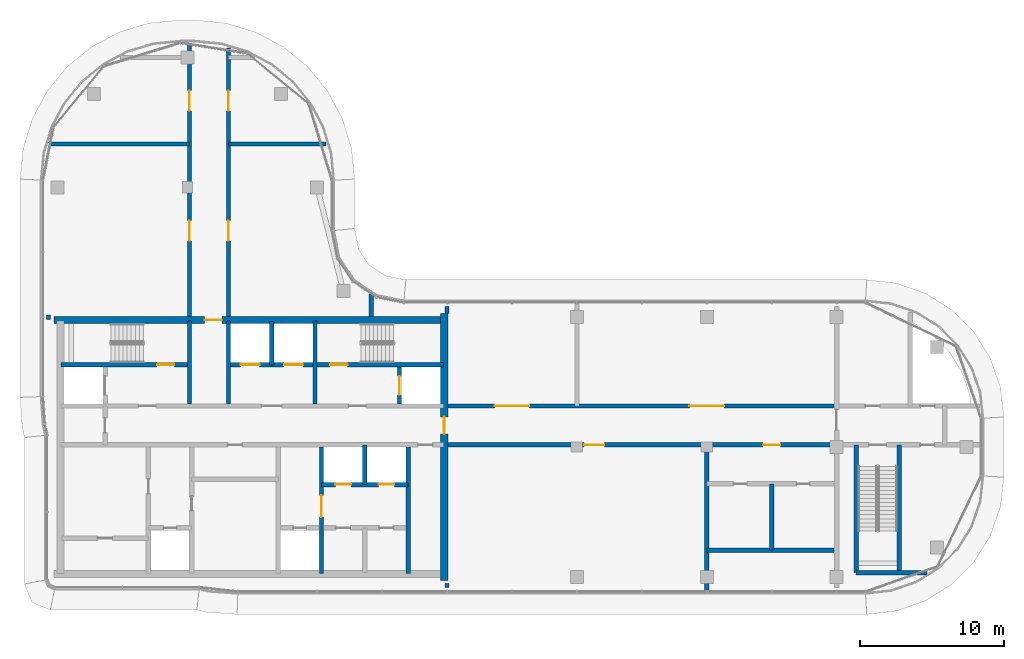
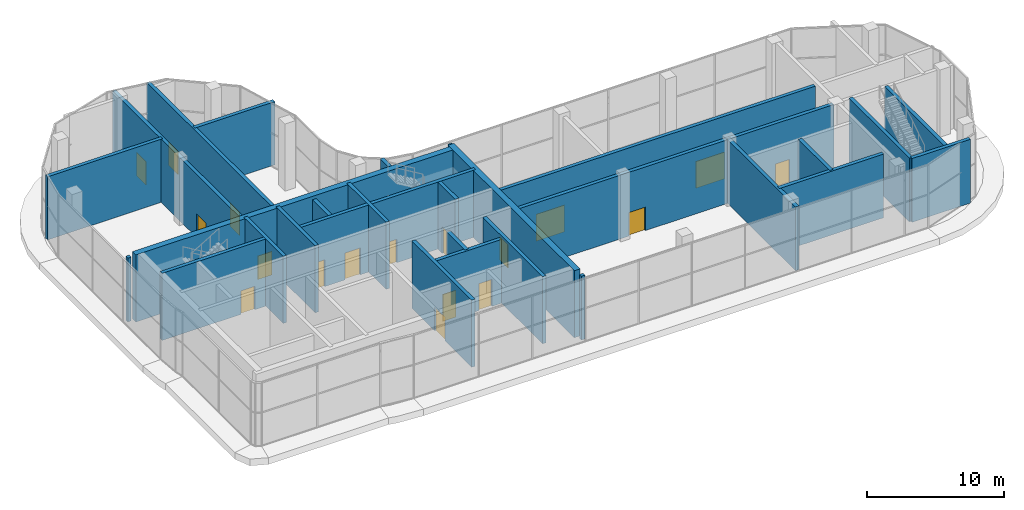
# One storey, part 15 of 23: 29 walls, 18 doors, 18 openings.
"""IFC4 building model written with IfcOpenShell, lengths in metres."""

from ifc_helpers import new_model, si_unit, direction, frame, frame_2d, origin, place, context, subcontext, project, spatial, rectangle, extrude, material, layer, layer_set, type_object, element, fill, save


model = new_model("IFC4")

# Units and contexts
model_context = context("Model", 3, precision=1e-05, world=origin(), true_north=direction((0.0, 1.0)))
body_context = subcontext(model_context, "Body", "Model", "MODEL_VIEW")
ifc_project = project(units=[si_unit("LENGTHUNIT", "METRE"), si_unit("AREAUNIT", "SQUARE_METRE"), si_unit("VOLUMEUNIT", "CUBIC_METRE"), si_unit("PLANEANGLEUNIT", "RADIAN"), si_unit("MASSUNIT", "GRAM", prefix="KILO")], contexts=[model_context])

# Site, building, storey
site_placement = place(None, origin())
site = spatial("IfcSite", under=ifc_project, at=site_placement, CompositionType="ELEMENT")
building_placement = place(site_placement, origin())
building = spatial("IfcBuilding", under=site, at=building_placement, Name="Ogive Portal Towers", CompositionType="ELEMENT")
storey_placement = place(building_placement, frame((0.0, 0.0, 260.89990234375)))
storey = spatial("IfcBuildingStorey", under=building, at=storey_placement, Name="L64", CompositionType="ELEMENT", Elevation=260.89990234375)

# Wall, opening, door
ifc_material_1 = material(Name="Concrete C60/75", Category="concrete")
ifc_layer_1 = layer(ifc_material_1, 0.300048828125)
ifc_layer_set_1 = layer_set([ifc_layer_1], Name="CORE WALL 300 C60")
wall_type_1 = type_object("IfcWallType", Name="CORE WALL 300 C60", PredefinedType="SHEAR", material=ifc_layer_set_1)
wall_1_placement = place(storey_placement, frame((49.800048828125, 21.75, 0.0), z_axis=(0.0, 0.0, 1.0), x_axis=(0.0, 1.0, 0.0)))
wall_1 = element("IfcWall", 1, at=wall_1_placement, inside=storey, type_object=wall_type_1, Name="Core wall X4 L64", PredefinedType="SHEAR", context=body_context, shape_type="SweptSolid", body=[
    extrude(rectangle(XDim=8.75, YDim=0.300048828125, at=frame_2d((4.375, 0.0))), origin(), (0.0, 0.0, 1.0), 6.0),
])
opening_1_placement = place(wall_1_placement, frame((3.89990234375, 0.0, 0.0)))
opening_1 = element("IfcOpeningElement", 2, at=opening_1_placement, cuts=wall_1, Name="Opening D30-001", PredefinedType="OPENING", context=body_context, shape_type="SweptSolid", body=[
    extrude(rectangle(XDim=1.5, YDim=2.10009765625, at=frame_2d((0.75, 1.050048828125))), frame((0.0, 0.16015625, 0.0), z_axis=(0.0, -1.0, 0.0), x_axis=(1.0, 0.0, 0.0)), (0.0, 0.0, 1.0), 0.320068359375),
])
ifc_material_2 = material(Name="Steel fire door", Category="steel")
door_type_1 = type_object("IfcDoorType", Name="DT-SWING-1500x2100-FD90S", OperationType="SINGLE_SWING_LEFT", PredefinedType="DOOR", material=ifc_material_2)
door_1_placement = place(opening_1_placement, origin())
door_1 = element("IfcDoor", 3, at=door_1_placement, inside=storey, type_object=door_type_1, Name="Door D30-001", OperationType="SINGLE_SWING_LEFT", OverallHeight=2.10009765625, OverallWidth=1.5, PredefinedType="DOOR", context=body_context, shape_type="SweptSolid", body=[
    extrude(rectangle(XDim=1.5, YDim=2.10009765625, at=frame_2d((0.75, 1.050048828125))), frame((0.0, 0.02490234375, 0.0), z_axis=(0.0, -1.0, 0.0), x_axis=(1.0, 0.0, 0.0)), (0.0, 0.0, 1.0), 0.050048828125),
])
fill(opening_1, door_1)

# Wall
wall_2_placement = place(storey_placement, frame((55.800048828125, 21.75, 0.0), z_axis=(0.0, 0.0, 1.0), x_axis=(0.0, 1.0, 0.0)))
element("IfcWall", 4, at=wall_2_placement, inside=storey, type_object=wall_type_1, Name="Core wall X5 L64", PredefinedType="SHEAR", context=body_context, shape_type="SweptSolid", body=[
    extrude(rectangle(XDim=8.75, YDim=0.300048828125, at=frame_2d((4.375, 0.0))), origin(), (0.0, 0.0, 1.0), 6.0),
])

# Wall, opening, door
wall_3_placement = place(storey_placement, frame((31.75, 36.199951171875, 0.0), z_axis=(0.0, 0.0, 1.0), x_axis=(1.0, 0.0, 0.0)))
wall_3 = element("IfcWall", 5, at=wall_3_placement, inside=storey, type_object=wall_type_1, Name="Core wall Y3a L64", PredefinedType="SHEAR", context=body_context, shape_type="SweptSolid", body=[
    extrude(rectangle(XDim=8.75, YDim=0.300048828125, at=frame_2d((4.375, 0.0))), origin(), (0.0, 0.0, 1.0), 6.0),
])
opening_2_placement = place(wall_3_placement, frame((6.64990234375, 0.0, 0.0)))
opening_2 = element("IfcOpeningElement", 6, at=opening_2_placement, cuts=wall_3, Name="Opening D30-005", PredefinedType="OPENING", context=body_context, shape_type="SweptSolid", body=[
    extrude(rectangle(XDim=1.199951171875, YDim=2.10009765625, at=frame_2d((0.60009765625, 1.050048828125))), frame((0.0, 0.16015625, 0.0), z_axis=(0.0, -1.0, 0.0), x_axis=(1.0, 0.0, 0.0)), (0.0, 0.0, 1.0), 0.320068359375),
])
door_type_2 = type_object("IfcDoorType", Name="DT-SWING-1200x2100-FD90S", OperationType="SINGLE_SWING_LEFT", PredefinedType="DOOR", material=ifc_material_2)
door_2_placement = place(opening_2_placement, origin())
door_2 = element("IfcDoor", 7, at=door_2_placement, inside=storey, type_object=door_type_2, Name="Door D30-005", OperationType="SINGLE_SWING_RIGHT", OverallHeight=2.10009765625, OverallWidth=1.199951171875, PredefinedType="DOOR", context=body_context, shape_type="SweptSolid", body=[
    extrude(rectangle(XDim=1.199951171875, YDim=2.10009765625, at=frame_2d((0.60009765625, 1.050048828125))), frame((0.0, 0.02490234375, 0.0), z_axis=(0.0, -1.0, 0.0), x_axis=(1.0, 0.0, 0.0)), (0.0, 0.0, 1.0), 0.050048828125),
])
fill(opening_2, door_2)

# Wall, openings, doors
wall_4_placement = place(storey_placement, frame((43.5, 36.199951171875, 0.0), z_axis=(0.0, 0.0, 1.0), x_axis=(1.0, 0.0, 0.0)))
wall_4 = element("IfcWall", 8, at=wall_4_placement, inside=storey, type_object=wall_type_1, Name="Core wall Y3b L64", PredefinedType="SHEAR", context=body_context, shape_type="SweptSolid", body=[
    extrude(rectangle(XDim=14.75, YDim=0.300048828125, at=frame_2d((7.375, 0.0))), origin(), (0.0, 0.0, 1.0), 6.0),
])
opening_3_placement = place(wall_4_placement, frame((6.89990234375, 0.0, 0.0)))
opening_3 = element("IfcOpeningElement", 9, at=opening_3_placement, cuts=wall_4, Name="Opening D30-006", PredefinedType="OPENING", context=body_context, shape_type="SweptSolid", body=[
    extrude(rectangle(XDim=1.199951171875, YDim=2.10009765625, at=frame_2d((0.60009765625, 1.050048828125))), frame((0.0, 0.16015625, 0.0), z_axis=(0.0, -1.0, 0.0), x_axis=(1.0, 0.0, 0.0)), (0.0, 0.0, 1.0), 0.320068359375),
])
opening_4_placement = place(wall_4_placement, frame((0.699951171875, 0.0, 0.0)))
opening_4 = element("IfcOpeningElement", 10, at=opening_4_placement, cuts=wall_4, Name="Opening D30-014", PredefinedType="OPENING", context=body_context, shape_type="SweptSolid", body=[
    extrude(rectangle(XDim=1.300048828125, YDim=2.39990234375, at=frame_2d((0.64990234375, 1.199951171875))), frame((0.0, 0.16015625, 0.0), z_axis=(0.0, -1.0, 0.0), x_axis=(1.0, 0.0, 0.0)), (0.0, 0.0, 1.0), 0.320068359375),
])
opening_5_placement = place(wall_4_placement, frame((3.699951171875, 0.0, 0.0)))
opening_5 = element("IfcOpeningElement", 11, at=opening_5_placement, cuts=wall_4, Name="Opening D30-015", PredefinedType="OPENING", context=body_context, shape_type="SweptSolid", body=[
    extrude(rectangle(XDim=1.300048828125, YDim=2.39990234375, at=frame_2d((0.64990234375, 1.199951171875))), frame((0.0, 0.16015625, 0.0), z_axis=(0.0, -1.0, 0.0), x_axis=(1.0, 0.0, 0.0)), (0.0, 0.0, 1.0), 0.320068359375),
])
ifc_material_3 = material(Name="Stainless steel", Category="steel")
door_type_3 = type_object("IfcDoorType", Name="DT-LD-1300x2400", OperationType="SLIDING_TO_LEFT", PredefinedType="DOOR", material=ifc_material_3)
door_3_placement = place(opening_4_placement, origin())
door_3 = element("IfcDoor", 12, at=door_3_placement, inside=storey, type_object=door_type_3, Name="Door D30-014", OperationType="SLIDING_TO_LEFT", OverallHeight=2.39990234375, OverallWidth=1.300048828125, PredefinedType="DOOR", context=body_context, shape_type="SweptSolid", body=[
    extrude(rectangle(XDim=1.300048828125, YDim=2.39990234375, at=frame_2d((0.64990234375, 1.199951171875))), frame((0.0, 0.02490234375, 0.0), z_axis=(0.0, -1.0, 0.0), x_axis=(1.0, 0.0, 0.0)), (0.0, 0.0, 1.0), 0.050048828125),
])
fill(opening_4, door_3)
door_4_placement = place(opening_5_placement, origin())
door_4 = element("IfcDoor", 13, at=door_4_placement, inside=storey, type_object=door_type_3, Name="Door D30-015", OperationType="SLIDING_TO_LEFT", OverallHeight=2.39990234375, OverallWidth=1.300048828125, PredefinedType="DOOR", context=body_context, shape_type="SweptSolid", body=[
    extrude(rectangle(XDim=1.300048828125, YDim=2.39990234375, at=frame_2d((0.64990234375, 1.199951171875))), frame((0.0, 0.02490234375, 0.0), z_axis=(0.0, -1.0, 0.0), x_axis=(1.0, 0.0, 0.0)), (0.0, 0.0, 1.0), 0.050048828125),
])
fill(opening_5, door_4)
door_5_placement = place(opening_3_placement, origin())
door_5 = element("IfcDoor", 14, at=door_5_placement, inside=storey, type_object=door_type_2, Name="Door D30-006", OperationType="SINGLE_SWING_LEFT", OverallHeight=2.10009765625, OverallWidth=1.199951171875, PredefinedType="DOOR", context=body_context, shape_type="SweptSolid", body=[
    extrude(rectangle(XDim=1.199951171875, YDim=2.10009765625, at=frame_2d((0.60009765625, 1.050048828125))), frame((0.0, 0.02490234375, 0.0), z_axis=(0.0, -1.0, 0.0), x_axis=(1.0, 0.0, 0.0)), (0.0, 0.0, 1.0), 0.050048828125),
])
fill(opening_3, door_5)

# Walls
for number, where, z_axis, x_axis, name in (
    (15, (40.64990234375, 33.5, 0.0), (0.0, 0.0, 1.0), (0.0, 1.0, 0.0), "Core wall X6 L64"),
    (16, (43.35009765625, 33.5, 0.0), (0.0, 0.0, 1.0), (0.0, 1.0, 0.0), "Core wall X7 L64"),
    (17, (49.35009765625, 33.5, 0.0), (0.0, 0.0, 1.0), (0.0, 1.0, 0.0), "Core wall X9 L64"),
):
    element("IfcWall", number, at=place(storey_placement, frame(where, z_axis=z_axis, x_axis=x_axis)), inside=storey, type_object=wall_type_1, Name=name, PredefinedType="SHEAR", context=body_context, shape_type="SweptSolid", body=[
        extrude(rectangle(XDim=5.75, YDim=0.300048828125, at=frame_2d((2.875, 0.0))), origin(), (0.0, 0.0, 1.0), 6.0),
    ])

# Wall, opening, door
wall_5_placement = place(storey_placement, frame((55.199951171875, 33.5, 0.0), z_axis=(0.0, 0.0, 1.0), x_axis=(0.0, 1.0, 0.0)))
wall_5 = element("IfcWall", 18, at=wall_5_placement, inside=storey, type_object=wall_type_1, Name="Core wall X10 L64", PredefinedType="SHEAR", context=body_context, shape_type="SweptSolid", body=[
    extrude(rectangle(XDim=2.550048828125, YDim=0.300048828125, at=frame_2d((1.27490234375, 0.0))), origin(), (0.0, 0.0, 1.0), 6.0),
])
opening_6_placement = place(wall_5_placement, frame((0.625, 0.0, 0.0)))
opening_6 = element("IfcOpeningElement", 19, at=opening_6_placement, cuts=wall_5, Name="Opening D30-017", PredefinedType="OPENING", context=body_context, shape_type="SweptSolid", body=[
    extrude(rectangle(XDim=1.300048828125, YDim=2.39990234375, at=frame_2d((0.64990234375, 1.199951171875))), frame((0.0, 0.16015625, 0.0), z_axis=(0.0, -1.0, 0.0), x_axis=(1.0, 0.0, 0.0)), (0.0, 0.0, 1.0), 0.320068359375),
])
door_6_placement = place(opening_6_placement, origin())
door_6 = element("IfcDoor", 20, at=door_6_placement, inside=storey, type_object=door_type_3, Name="Door D30-017", OperationType="SLIDING_TO_LEFT", OverallHeight=2.39990234375, OverallWidth=1.300048828125, PredefinedType="DOOR", context=body_context, shape_type="SweptSolid", body=[
    extrude(rectangle(XDim=1.300048828125, YDim=2.39990234375, at=frame_2d((0.64990234375, 1.199951171875))), frame((0.0, 0.02490234375, 0.0), z_axis=(0.0, -1.0, 0.0), x_axis=(1.0, 0.0, 0.0)), (0.0, 0.0, 1.0), 0.050048828125),
])
fill(opening_6, door_6)

ifc_layer_2 = layer(ifc_material_1, 0.5)
ifc_layer_set_2 = layer_set([ifc_layer_2], Name="CORE WALL 500 C60")
wall_type_2 = type_object("IfcWallType", Name="CORE WALL 500 C60", PredefinedType="SHEAR", material=ifc_layer_set_2)
wall_6_placement = place(storey_placement, frame((58.300048828125, 21.25, 0.0), z_axis=(0.0, 0.0, 1.0), x_axis=(0.0, 1.0, 0.0)))
wall_6 = element("IfcWall", 21, at=wall_6_placement, inside=storey, type_object=wall_type_2, Name="Core wall E L64", PredefinedType="SHEAR", context=body_context, shape_type="SweptSolid", body=[
    extrude(rectangle(XDim=18.5, YDim=0.5, at=frame_2d((9.25, 0.0))), origin(), (0.0, 0.0, 1.0), 6.0),
])
opening_7_placement = place(wall_6_placement, frame((10.14990234375, 0.0, 0.0)))
opening_7 = element("IfcOpeningElement", 22, at=opening_7_placement, cuts=wall_6, Name="Opening D30-010", PredefinedType="OPENING", context=body_context, shape_type="SweptSolid", body=[
    extrude(rectangle(XDim=1.199951171875, YDim=2.10009765625, at=frame_2d((0.60009765625, 1.050048828125))), frame((0.0, 0.260009765625, 0.0), z_axis=(0.0, -1.0, 0.0), x_axis=(1.0, 0.0, 0.0)), (0.0, 0.0, 1.0), 0.52001953125),
])
door_7_placement = place(opening_7_placement, origin())
door_7 = element("IfcDoor", 23, at=door_7_placement, inside=storey, type_object=door_type_2, Name="Door D30-010", OperationType="SINGLE_SWING_LEFT", OverallHeight=2.10009765625, OverallWidth=1.199951171875, PredefinedType="DOOR", context=body_context, shape_type="SweptSolid", body=[
    extrude(rectangle(XDim=1.199951171875, YDim=2.10009765625, at=frame_2d((0.60009765625, 1.050048828125))), frame((0.0, 0.02490234375, 0.0), z_axis=(0.0, -1.0, 0.0), x_axis=(1.0, 0.0, 0.0)), (0.0, 0.0, 1.0), 0.050048828125),
])
fill(opening_7, door_7)

wall_7_placement = place(storey_placement, frame((31.25, 39.300048828125, 0.0), z_axis=(0.0, 0.0, 1.0), x_axis=(1.0, 0.0, 0.0)))
wall_7 = element("IfcWall", 24, at=wall_7_placement, inside=storey, type_object=wall_type_2, Name="Core wall N L64", PredefinedType="SHEAR", context=body_context, shape_type="SweptSolid", body=[
    extrude(rectangle(XDim=27.0, YDim=0.5, at=frame_2d((13.5, 0.0))), origin(), (0.0, 0.0, 1.0), 6.0),
])
opening_8_placement = place(wall_7_placement, frame((10.449951171875, 0.0, 0.0)))
opening_8 = element("IfcOpeningElement", 25, at=opening_8_placement, cuts=wall_7, Name="Opening D30-011", PredefinedType="OPENING", context=body_context, shape_type="SweptSolid", body=[
    extrude(rectangle(XDim=1.199951171875, YDim=2.10009765625, at=frame_2d((0.60009765625, 1.050048828125))), frame((0.0, 0.260009765625, 0.0), z_axis=(0.0, -1.0, 0.0), x_axis=(1.0, 0.0, 0.0)), (0.0, 0.0, 1.0), 0.52001953125),
])
door_8_placement = place(opening_8_placement, origin())
door_8 = element("IfcDoor", 26, at=door_8_placement, inside=storey, type_object=door_type_2, Name="Door D30-011", OperationType="SINGLE_SWING_RIGHT", OverallHeight=2.10009765625, OverallWidth=1.199951171875, PredefinedType="DOOR", context=body_context, shape_type="SweptSolid", body=[
    extrude(rectangle(XDim=1.199951171875, YDim=2.10009765625, at=frame_2d((0.60009765625, 1.050048828125))), frame((0.0, 0.02490234375, 0.0), z_axis=(0.0, -1.0, 0.0), x_axis=(1.0, 0.0, 0.0)), (0.0, 0.0, 1.0), 0.050048828125),
])
fill(opening_8, door_8)

# Walls
ifc_material_4 = material(Name="Concrete C50/60", Category="concrete")
ifc_layer_3 = layer(ifc_material_4, 0.300048828125)
ifc_layer_set_3 = layer_set([ifc_layer_3], Name="STAIR WALL 300 C50")
wall_type_3 = type_object("IfcWallType", Name="STAIR WALL 300 C50", PredefinedType="SHEAR", material=ifc_layer_set_3)
wall_8_placement = place(storey_placement, frame((86.85009765625, 21.800048828125, 0.0), z_axis=(0.0, 0.0, 1.0), x_axis=(1.0, 0.0, 0.0)))
element("IfcWall", 27, at=wall_8_placement, inside=storey, type_object=wall_type_3, Name="Stair wall ST-A4 L64", PredefinedType="SHEAR", context=body_context, shape_type="SweptSolid", body=[
    extrude(rectangle(XDim=4.91796875, YDim=0.300048828125, at=frame_2d((2.458984375, 0.0))), origin(), (0.0, 0.0, 1.0), 5.7001953125),
])
for number, where, z_axis, x_axis, name in (
    (28, (86.85009765625, 21.800048828125, 0.0), (0.0, 0.0, 1.0), (0.0, 1.0, 0.0), "Stair wall ST-A4 L64"),
    (29, (89.85009765625, 21.800048828125, 0.0), (0.0, 0.0, 1.0), (0.0, 1.0, 0.0), "Stair wall ST-A4 L64"),
):
    element("IfcWall", number, at=place(storey_placement, frame(where, z_axis=z_axis, x_axis=x_axis)), inside=storey, type_object=wall_type_3, Name=name, PredefinedType="SHEAR", context=body_context, shape_type="SweptSolid", body=[
        extrude(rectangle(XDim=8.849853515625, YDim=0.300048828125, at=frame_2d((4.4248046875, 0.0))), origin(), (0.0, 0.0, 1.0), 5.7001953125),
    ])

# Wall, openings, doors
ifc_material_5 = material(Name="Gypsum board partition on steel studs", Category="steel")
ifc_layer_4 = layer(ifc_material_5, 0.300048828125)
ifc_layer_set_4 = layer_set([ifc_layer_4], Name="WT-PART-300-EI 120")
wall_type_4 = type_object("IfcWallType", Name="WT-PART-300-EI 120", PredefinedType="PARTITIONING", material=ifc_layer_set_4)
wall_9_placement = place(storey_placement, frame((58.550048828125, 30.64990234375, 0.0), z_axis=(0.0, 0.0, 1.0), x_axis=(1.0, 0.0, 0.0)))
wall_9 = element("IfcWall", 30, at=wall_9_placement, inside=storey, type_object=wall_type_4, Name="Wall L64:w004", PredefinedType="PARTITIONING", context=body_context, shape_type="SweptSolid", body=[
    extrude(rectangle(XDim=26.780029296875, YDim=0.300048828125, at=frame_2d((13.39013671875, 0.0))), origin(), (0.0, 0.0, 1.0), 5.7001953125),
])
opening_9_placement = place(wall_9_placement, frame((9.449951171875, 0.0, 0.0)))
opening_9 = element("IfcOpeningElement", 31, at=opening_9_placement, cuts=wall_9, Name="Opening D30-027", PredefinedType="OPENING", context=body_context, shape_type="SweptSolid", body=[
    extrude(rectangle(XDim=1.39990234375, YDim=2.10009765625, at=frame_2d((0.699951171875, 1.050048828125))), frame((0.0, 0.16015625, 0.0), z_axis=(0.0, -1.0, 0.0), x_axis=(1.0, 0.0, 0.0)), (0.0, 0.0, 1.0), 0.320068359375),
])
opening_10_placement = place(wall_9_placement, frame((21.85009765625, 0.0, 0.0)))
opening_10 = element("IfcOpeningElement", 32, at=opening_10_placement, cuts=wall_9, Name="Opening D30-028", PredefinedType="OPENING", context=body_context, shape_type="SweptSolid", body=[
    extrude(rectangle(XDim=1.199951171875, YDim=2.10009765625, at=frame_2d((0.60009765625, 1.050048828125))), frame((0.0, 0.16015625, 0.0), z_axis=(0.0, -1.0, 0.0), x_axis=(1.0, 0.0, 0.0)), (0.0, 0.0, 1.0), 0.320068359375),
])
door_type_4 = type_object("IfcDoorType", Name="DT-ENTRY-1200x2100-FD90S", OperationType="SINGLE_SWING_LEFT", PredefinedType="DOOR", material=ifc_material_2)
door_9_placement = place(opening_10_placement, origin())
door_9 = element("IfcDoor", 33, at=door_9_placement, inside=storey, type_object=door_type_4, Name="Door D30-028", OperationType="SINGLE_SWING_LEFT", OverallHeight=2.10009765625, OverallWidth=1.199951171875, PredefinedType="DOOR", context=body_context, shape_type="SweptSolid", body=[
    extrude(rectangle(XDim=1.199951171875, YDim=2.10009765625, at=frame_2d((0.60009765625, 1.050048828125))), frame((0.0, 0.02490234375, 0.0), z_axis=(0.0, -1.0, 0.0), x_axis=(1.0, 0.0, 0.0)), (0.0, 0.0, 1.0), 0.050048828125),
])
fill(opening_10, door_9)
door_type_5 = type_object("IfcDoorType", Name="DT-ENTRY-1400x2100-FD90S", OperationType="SINGLE_SWING_LEFT", PredefinedType="DOOR", material=ifc_material_2)
door_10_placement = place(opening_9_placement, origin())
door_10 = element("IfcDoor", 34, at=door_10_placement, inside=storey, type_object=door_type_5, Name="Door D30-027", OperationType="SINGLE_SWING_LEFT", OverallHeight=2.10009765625, OverallWidth=1.39990234375, PredefinedType="DOOR", context=body_context, shape_type="SweptSolid", body=[
    extrude(rectangle(XDim=1.39990234375, YDim=2.10009765625, at=frame_2d((0.699951171875, 1.050048828125))), frame((0.0, 0.02490234375, 0.0), z_axis=(0.0, -1.0, 0.0), x_axis=(1.0, 0.0, 0.0)), (0.0, 0.0, 1.0), 0.050048828125),
])
fill(opening_9, door_10)

wall_10_placement = place(storey_placement, frame((58.550048828125, 33.35009765625, 0.0), z_axis=(0.0, 0.0, 1.0), x_axis=(1.0, 0.0, 0.0)))
wall_10 = element("IfcWall", 35, at=wall_10_placement, inside=storey, type_object=wall_type_4, Name="Wall L64:w006", PredefinedType="PARTITIONING", context=body_context, shape_type="SweptSolid", body=[
    extrude(rectangle(XDim=26.780029296875, YDim=0.300048828125, at=frame_2d((13.39013671875, 0.0))), origin(), (0.0, 0.0, 1.0), 5.7001953125),
])
opening_11_placement = place(wall_10_placement, frame((3.25, 0.0, 0.0)))
opening_11 = element("IfcOpeningElement", 36, at=opening_11_placement, cuts=wall_10, Name="Opening D30-025", PredefinedType="OPENING", context=body_context, shape_type="SweptSolid", body=[
    extrude(rectangle(XDim=2.39990234375, YDim=2.39990234375, at=frame_2d((1.199951171875, 1.199951171875))), frame((0.0, 0.16015625, 0.0), z_axis=(0.0, -1.0, 0.0), x_axis=(1.0, 0.0, 0.0)), (0.0, 0.0, 1.0), 0.320068359375),
])
opening_12_placement = place(wall_10_placement, frame((16.75, 0.0, 0.0)))
opening_12 = element("IfcOpeningElement", 37, at=opening_12_placement, cuts=wall_10, Name="Opening D30-026", PredefinedType="OPENING", context=body_context, shape_type="SweptSolid", body=[
    extrude(rectangle(XDim=2.39990234375, YDim=2.39990234375, at=frame_2d((1.199951171875, 1.199951171875))), frame((0.0, 0.16015625, 0.0), z_axis=(0.0, -1.0, 0.0), x_axis=(1.0, 0.0, 0.0)), (0.0, 0.0, 1.0), 0.320068359375),
])
door_type_6 = type_object("IfcDoorType", Name="DT-ENTRY-2400x2400-FD90S", OperationType="SINGLE_SWING_LEFT", PredefinedType="DOOR", material=ifc_material_2)
door_11_placement = place(opening_11_placement, origin())
door_11 = element("IfcDoor", 38, at=door_11_placement, inside=storey, type_object=door_type_6, Name="Door D30-025", OperationType="SINGLE_SWING_LEFT", OverallHeight=2.39990234375, OverallWidth=2.39990234375, PredefinedType="DOOR", context=body_context, shape_type="SweptSolid", body=[
    extrude(rectangle(XDim=2.39990234375, YDim=2.39990234375, at=frame_2d((1.199951171875, 1.199951171875))), frame((0.0, 0.02490234375, 0.0), z_axis=(0.0, -1.0, 0.0), x_axis=(1.0, 0.0, 0.0)), (0.0, 0.0, 1.0), 0.050048828125),
])
fill(opening_11, door_11)
door_12_placement = place(opening_12_placement, origin())
door_12 = element("IfcDoor", 39, at=door_12_placement, inside=storey, type_object=door_type_6, Name="Door D30-026", OperationType="SINGLE_SWING_LEFT", OverallHeight=2.39990234375, OverallWidth=2.39990234375, PredefinedType="DOOR", context=body_context, shape_type="SweptSolid", body=[
    extrude(rectangle(XDim=2.39990234375, YDim=2.39990234375, at=frame_2d((1.199951171875, 1.199951171875))), frame((0.0, 0.02490234375, 0.0), z_axis=(0.0, -1.0, 0.0), x_axis=(1.0, 0.0, 0.0)), (0.0, 0.0, 1.0), 0.050048828125),
])
fill(opening_12, door_12)

# Walls
ifc_layer_5 = layer(ifc_material_5, 0.300048828125)
ifc_layer_set_5 = layer_set([ifc_layer_5], Name="WT-PART-300-EI 60")
wall_type_5 = type_object("IfcWallType", Name="WT-PART-300-EI 60", PredefinedType="PARTITIONING", material=ifc_layer_set_5)
wall_11_placement = place(storey_placement, frame((76.5, 23.35009765625, 0.0), z_axis=(0.0, 0.0, 1.0), x_axis=(1.0, 0.0, 0.0)))
element("IfcWall", 40, at=wall_11_placement, inside=storey, type_object=wall_type_5, Name="Wall L64:w002", PredefinedType="PARTITIONING", context=body_context, shape_type="SweptSolid", body=[
    extrude(rectangle(XDim=8.830078125, YDim=0.300048828125, at=frame_2d((4.4150390625, 0.0))), origin(), (0.0, 0.0, 1.0), 5.7001953125),
])
wall_12_placement = place(storey_placement, frame((30.75, 39.5, 0.0), z_axis=(0.0, 0.0, 1.0), x_axis=(1.0, 0.0, 0.0)))
element("IfcWall", 41, at=wall_12_placement, inside=storey, type_object=wall_type_5, Name="Wall L64:w008", PredefinedType="PARTITIONING", context=body_context, shape_type="SweptSolid", body=[
    extrude(rectangle(XDim=0.280029296875, YDim=0.300048828125, at=frame_2d((0.14013671875, 0.0))), origin(), (0.0, 0.0, 1.0), 5.7001953125),
])
wall_13_placement = place(storey_placement, frame((30.888916015625, 51.5, 0.0), z_axis=(0.0, 0.0, 1.0), x_axis=(1.0, 0.0, 0.0)))
element("IfcWall", 42, at=wall_13_placement, inside=storey, type_object=wall_type_5, Name="Wall L64:w009", PredefinedType="PARTITIONING", context=body_context, shape_type="SweptSolid", body=[
    extrude(rectangle(XDim=9.760986328125, YDim=0.300048828125, at=frame_2d((4.88037109375, 0.0))), origin(), (0.0, 0.0, 1.0), 5.650146484375),
])
wall_14_placement = place(storey_placement, frame((43.35009765625, 51.5, 0.0), z_axis=(0.0, 0.0, 1.0), x_axis=(1.0, 0.0, 0.0)))
element("IfcWall", 43, at=wall_14_placement, inside=storey, type_object=wall_type_5, Name="Wall L64:w010", PredefinedType="PARTITIONING", context=body_context, shape_type="SweptSolid", body=[
    extrude(rectangle(XDim=6.760986328125, YDim=0.300048828125, at=frame_2d((3.38037109375, 0.0))), origin(), (0.0, 0.0, 1.0), 5.650146484375),
])

# Wall, openings, doors
wall_15_placement = place(storey_placement, frame((40.64990234375, 39.550048828125, 0.0), z_axis=(0.0, 0.0, 1.0), x_axis=(0.0, 1.0, 0.0)))
wall_15 = element("IfcWall", 44, at=wall_15_placement, inside=storey, type_object=wall_type_5, Name="Wall L64:w013", PredefinedType="PARTITIONING", context=body_context, shape_type="SweptSolid", body=[
    extrude(rectangle(XDim=18.93994140625, YDim=0.300048828125, at=frame_2d((9.469970703125, 0.0))), origin(), (0.0, 0.0, 1.0), 5.650146484375),
])
opening_13_placement = place(wall_15_placement, frame((5.25, 0.0, 0.0)))
opening_13 = element("IfcOpeningElement", 45, at=opening_13_placement, cuts=wall_15, Name="Opening D30-032", PredefinedType="OPENING", context=body_context, shape_type="SweptSolid", body=[
    extrude(rectangle(XDim=1.39990234375, YDim=2.10009765625, at=frame_2d((0.699951171875, 1.050048828125))), frame((0.0, 0.16015625, 0.0), z_axis=(0.0, -1.0, 0.0), x_axis=(1.0, 0.0, 0.0)), (0.0, 0.0, 1.0), 0.320068359375),
])
opening_14_placement = place(wall_15_placement, frame((14.25, 0.0, 0.0)))
opening_14 = element("IfcOpeningElement", 46, at=opening_14_placement, cuts=wall_15, Name="Opening D30-034", PredefinedType="OPENING", context=body_context, shape_type="SweptSolid", body=[
    extrude(rectangle(XDim=1.39990234375, YDim=2.10009765625, at=frame_2d((0.699951171875, 1.050048828125))), frame((0.0, 0.16015625, 0.0), z_axis=(0.0, -1.0, 0.0), x_axis=(1.0, 0.0, 0.0)), (0.0, 0.0, 1.0), 0.320068359375),
])
door_type_7 = type_object("IfcDoorType", Name="DT-ENTRY-1400x2100-FD60S", OperationType="SINGLE_SWING_LEFT", PredefinedType="DOOR", material=ifc_material_2)
door_13_placement = place(opening_13_placement, origin())
door_13 = element("IfcDoor", 47, at=door_13_placement, inside=storey, type_object=door_type_7, Name="Door D30-032", OperationType="SINGLE_SWING_LEFT", OverallHeight=2.10009765625, OverallWidth=1.39990234375, PredefinedType="DOOR", context=body_context, shape_type="SweptSolid", body=[
    extrude(rectangle(XDim=1.39990234375, YDim=2.10009765625, at=frame_2d((0.699951171875, 1.050048828125))), frame((0.0, 0.02490234375, 0.0), z_axis=(0.0, -1.0, 0.0), x_axis=(1.0, 0.0, 0.0)), (0.0, 0.0, 1.0), 0.050048828125),
])
fill(opening_13, door_13)
door_14_placement = place(opening_14_placement, origin())
door_14 = element("IfcDoor", 48, at=door_14_placement, inside=storey, type_object=door_type_7, Name="Door D30-034", OperationType="SINGLE_SWING_LEFT", OverallHeight=2.10009765625, OverallWidth=1.39990234375, PredefinedType="DOOR", context=body_context, shape_type="SweptSolid", body=[
    extrude(rectangle(XDim=1.39990234375, YDim=2.10009765625, at=frame_2d((0.699951171875, 1.050048828125))), frame((0.0, 0.02490234375, 0.0), z_axis=(0.0, -1.0, 0.0), x_axis=(1.0, 0.0, 0.0)), (0.0, 0.0, 1.0), 0.050048828125),
])
fill(opening_14, door_14)

wall_16_placement = place(storey_placement, frame((43.35009765625, 39.550048828125, 0.0), z_axis=(0.0, 0.0, 1.0), x_axis=(0.0, 1.0, 0.0)))
wall_16 = element("IfcWall", 49, at=wall_16_placement, inside=storey, type_object=wall_type_5, Name="Wall L64:w014", PredefinedType="PARTITIONING", context=body_context, shape_type="SweptSolid", body=[
    extrude(rectangle(XDim=18.60595703125, YDim=0.300048828125, at=frame_2d((9.302978515625, 0.0))), origin(), (0.0, 0.0, 1.0), 5.650146484375),
])
opening_15_placement = place(wall_16_placement, frame((5.25, 0.0, 0.0)))
opening_15 = element("IfcOpeningElement", 50, at=opening_15_placement, cuts=wall_16, Name="Opening D30-031", PredefinedType="OPENING", context=body_context, shape_type="SweptSolid", body=[
    extrude(rectangle(XDim=1.39990234375, YDim=2.10009765625, at=frame_2d((0.699951171875, 1.050048828125))), frame((0.0, 0.16015625, 0.0), z_axis=(0.0, -1.0, 0.0), x_axis=(1.0, 0.0, 0.0)), (0.0, 0.0, 1.0), 0.320068359375),
])
opening_16_placement = place(wall_16_placement, frame((14.25, 0.0, 0.0)))
opening_16 = element("IfcOpeningElement", 51, at=opening_16_placement, cuts=wall_16, Name="Opening D30-033", PredefinedType="OPENING", context=body_context, shape_type="SweptSolid", body=[
    extrude(rectangle(XDim=1.39990234375, YDim=2.10009765625, at=frame_2d((0.699951171875, 1.050048828125))), frame((0.0, 0.16015625, 0.0), z_axis=(0.0, -1.0, 0.0), x_axis=(1.0, 0.0, 0.0)), (0.0, 0.0, 1.0), 0.320068359375),
])
door_15_placement = place(opening_15_placement, origin())
door_15 = element("IfcDoor", 52, at=door_15_placement, inside=storey, type_object=door_type_7, Name="Door D30-031", OperationType="SINGLE_SWING_LEFT", OverallHeight=2.10009765625, OverallWidth=1.39990234375, PredefinedType="DOOR", context=body_context, shape_type="SweptSolid", body=[
    extrude(rectangle(XDim=1.39990234375, YDim=2.10009765625, at=frame_2d((0.699951171875, 1.050048828125))), frame((0.0, 0.02490234375, 0.0), z_axis=(0.0, -1.0, 0.0), x_axis=(1.0, 0.0, 0.0)), (0.0, 0.0, 1.0), 0.050048828125),
])
fill(opening_15, door_15)
door_16_placement = place(opening_16_placement, origin())
door_16 = element("IfcDoor", 53, at=door_16_placement, inside=storey, type_object=door_type_7, Name="Door D30-033", OperationType="SINGLE_SWING_LEFT", OverallHeight=2.10009765625, OverallWidth=1.39990234375, PredefinedType="DOOR", context=body_context, shape_type="SweptSolid", body=[
    extrude(rectangle(XDim=1.39990234375, YDim=2.10009765625, at=frame_2d((0.699951171875, 1.050048828125))), frame((0.0, 0.02490234375, 0.0), z_axis=(0.0, -1.0, 0.0), x_axis=(1.0, 0.0, 0.0)), (0.0, 0.0, 1.0), 0.050048828125),
])
fill(opening_16, door_16)

# Walls
wall_17_placement = place(storey_placement, frame((53.25, 39.550048828125, 0.0), z_axis=(0.0, 0.0, 1.0), x_axis=(0.0, 1.0, 0.0)))
element("IfcWall", 54, at=wall_17_placement, inside=storey, type_object=wall_type_5, Name="Wall L64:w015", PredefinedType="PARTITIONING", context=body_context, shape_type="SweptSolid", body=[
    extrude(rectangle(XDim=1.54296875, YDim=0.300048828125, at=frame_2d((0.771484375, 0.0))), origin(), (0.0, 0.0, 1.0), 5.7001953125),
])
wall_18_placement = place(storey_placement, frame((58.5, 20.75, 0.0), z_axis=(0.0, 0.0, 1.0), x_axis=(0.0, 1.0, 0.0)))
element("IfcWall", 55, at=wall_18_placement, inside=storey, type_object=wall_type_5, Name="Wall L64:w016", PredefinedType="PARTITIONING", context=body_context, shape_type="SweptSolid", body=[
    extrude(rectangle(XDim=0.280029296875, YDim=0.300048828125, at=frame_2d((0.14013671875, 0.0))), origin(), (0.0, 0.0, 1.0), 5.7001953125),
])
wall_19_placement = place(storey_placement, frame((58.5, 39.75, 0.0), z_axis=(0.0, 0.0, 1.0), x_axis=(0.0, 1.0, 0.0)))
element("IfcWall", 56, at=wall_19_placement, inside=storey, type_object=wall_type_5, Name="Wall L64:w017", PredefinedType="PARTITIONING", context=body_context, shape_type="SweptSolid", body=[
    extrude(rectangle(XDim=0.5, YDim=0.300048828125, at=frame_2d((0.25, 0.0))), origin(), (0.0, 0.0, 1.0), 5.7001953125),
])
wall_20_placement = place(storey_placement, frame((76.5, 20.570068359375, 0.0), z_axis=(0.0, 0.0, 1.0), x_axis=(0.0, 1.0, 0.0)))
element("IfcWall", 57, at=wall_20_placement, inside=storey, type_object=wall_type_5, Name="Wall L64:w019", PredefinedType="PARTITIONING", context=body_context, shape_type="SweptSolid", body=[
    extrude(rectangle(XDim=10.079833984375, YDim=0.300048828125, at=frame_2d((5.0400390625, 0.0))), origin(), (0.0, 0.0, 1.0), 5.7001953125),
])
wall_21_placement = place(storey_placement, frame((81.0, 23.35009765625, 0.0), z_axis=(0.0, 0.0, 1.0), x_axis=(0.0, 1.0, 0.0)))
element("IfcWall", 58, at=wall_21_placement, inside=storey, type_object=wall_type_5, Name="Wall L64:w020", PredefinedType="PARTITIONING", context=body_context, shape_type="SweptSolid", body=[
    extrude(rectangle(XDim=4.599853515625, YDim=0.300048828125, at=frame_2d((2.2998046875, 0.0))), origin(), (0.0, 0.0, 1.0), 5.7001953125),
])

# Wall, openings, doors
ifc_material_6 = material(Name="Concrete C40/50", Category="concrete")
ifc_layer_6 = layer(ifc_material_6, 0.300048828125)
ifc_layer_set_6 = layer_set([ifc_layer_6], Name="WT-SHAFT-300")
wall_type_6 = type_object("IfcWallType", Name="WT-SHAFT-300", PredefinedType="SOLIDWALL", material=ifc_layer_set_6)
wall_22_placement = place(storey_placement, frame((49.800048828125, 27.89990234375, 0.0), z_axis=(0.0, 0.0, 1.0), x_axis=(1.0, 0.0, 0.0)))
wall_22 = element("IfcWall", 59, at=wall_22_placement, inside=storey, type_object=wall_type_6, Name="Wall pw:004:L64", PredefinedType="SOLIDWALL", context=body_context, shape_type="SweptSolid", body=[
    extrude(rectangle(XDim=6.0, YDim=0.300048828125, at=frame_2d((3.0, 0.0))), origin(), (0.0, 0.0, 1.0), 5.7001953125),
])
opening_17_placement = place(wall_22_placement, frame((0.949951171875, 0.0, 0.0)))
opening_17 = element("IfcOpeningElement", 60, at=opening_17_placement, cuts=wall_22, Name="Opening D30-012", PredefinedType="OPENING", context=body_context, shape_type="SweptSolid", body=[
    extrude(rectangle(XDim=1.10009765625, YDim=2.39990234375, at=frame_2d((0.550048828125, 1.199951171875))), frame((0.0, 0.16015625, 0.0), z_axis=(0.0, -1.0, 0.0), x_axis=(1.0, 0.0, 0.0)), (0.0, 0.0, 1.0), 0.320068359375),
])
opening_18_placement = place(wall_22_placement, frame((3.949951171875, 0.0, 0.0)))
opening_18 = element("IfcOpeningElement", 61, at=opening_18_placement, cuts=wall_22, Name="Opening D30-013", PredefinedType="OPENING", context=body_context, shape_type="SweptSolid", body=[
    extrude(rectangle(XDim=1.10009765625, YDim=2.39990234375, at=frame_2d((0.550048828125, 1.199951171875))), frame((0.0, 0.16015625, 0.0), z_axis=(0.0, -1.0, 0.0), x_axis=(1.0, 0.0, 0.0)), (0.0, 0.0, 1.0), 0.320068359375),
])
door_type_8 = type_object("IfcDoorType", Name="DT-LD-1100x2400", OperationType="SLIDING_TO_LEFT", PredefinedType="DOOR", material=ifc_material_3)
door_17_placement = place(opening_17_placement, origin())
door_17 = element("IfcDoor", 62, at=door_17_placement, inside=storey, type_object=door_type_8, Name="Door D30-012", OperationType="SLIDING_TO_LEFT", OverallHeight=2.39990234375, OverallWidth=1.10009765625, PredefinedType="DOOR", context=body_context, shape_type="SweptSolid", body=[
    extrude(rectangle(XDim=1.10009765625, YDim=2.39990234375, at=frame_2d((0.550048828125, 1.199951171875))), frame((0.0, 0.02490234375, 0.0), z_axis=(0.0, -1.0, 0.0), x_axis=(1.0, 0.0, 0.0)), (0.0, 0.0, 1.0), 0.050048828125),
])
fill(opening_17, door_17)
door_18_placement = place(opening_18_placement, origin())
door_18 = element("IfcDoor", 63, at=door_18_placement, inside=storey, type_object=door_type_8, Name="Door D30-013", OperationType="SLIDING_TO_LEFT", OverallHeight=2.39990234375, OverallWidth=1.10009765625, PredefinedType="DOOR", context=body_context, shape_type="SweptSolid", body=[
    extrude(rectangle(XDim=1.10009765625, YDim=2.39990234375, at=frame_2d((0.550048828125, 1.199951171875))), frame((0.0, 0.02490234375, 0.0), z_axis=(0.0, -1.0, 0.0), x_axis=(1.0, 0.0, 0.0)), (0.0, 0.0, 1.0), 0.050048828125),
])
fill(opening_18, door_18)

# Walls
wall_23_placement = place(storey_placement, frame((46.35009765625, 36.199951171875, 0.0), z_axis=(0.0, 0.0, 1.0), x_axis=(0.0, 1.0, 0.0)))
element("IfcWall", 64, at=wall_23_placement, inside=storey, type_object=wall_type_6, Name="Wall pw:007:L64", PredefinedType="SOLIDWALL", context=body_context, shape_type="SweptSolid", body=[
    extrude(rectangle(XDim=3.0, YDim=0.300048828125, at=frame_2d((1.5, 0.0))), origin(), (0.0, 0.0, 1.0), 5.7001953125),
])
wall_24_placement = place(storey_placement, frame((52.800048828125, 27.89990234375, 0.0), z_axis=(0.0, 0.0, 1.0), x_axis=(0.0, 1.0, 0.0)))
element("IfcWall", 65, at=wall_24_placement, inside=storey, type_object=wall_type_6, Name="Wall pw:009:L64", PredefinedType="SOLIDWALL", context=body_context, shape_type="SweptSolid", body=[
    extrude(rectangle(XDim=2.75, YDim=0.300048828125, at=frame_2d((1.375, 0.0))), origin(), (0.0, 0.0, 1.0), 5.7001953125),
])

save(model, "model.ifc")
